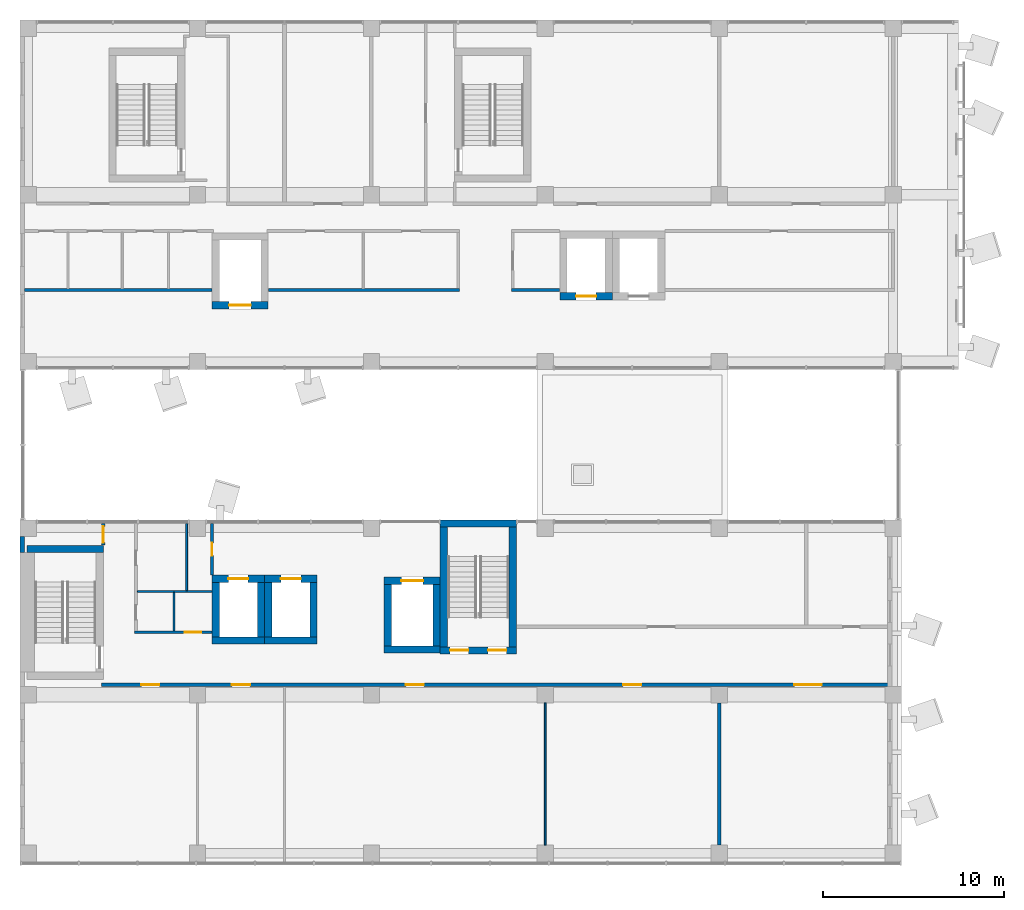
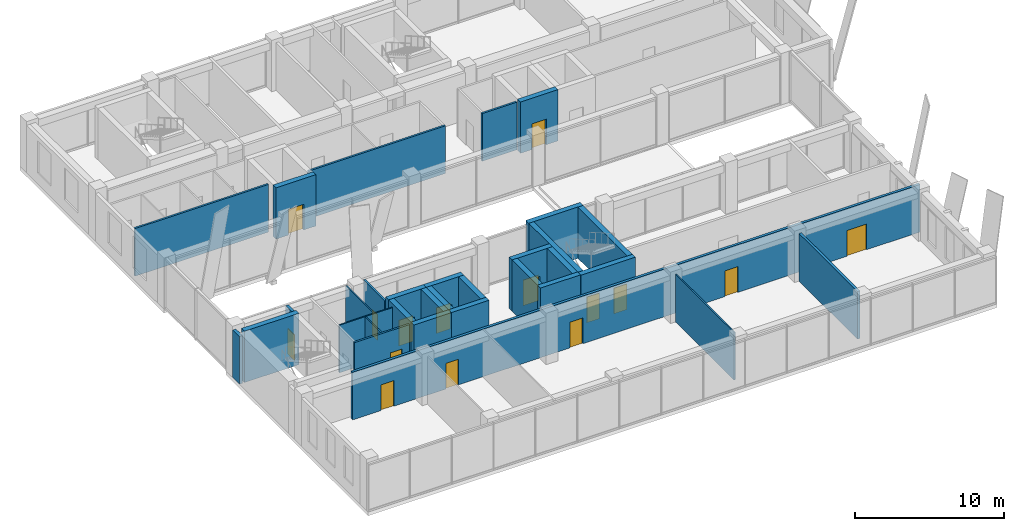
# One storey, part 28 of 38: 32 walls, 15 doors, 15 openings.
"""IFC4 building model written with IfcOpenShell, lengths in metres."""

from ifc_helpers import new_model, si_unit, direction, frame, frame_2d, origin, place, context, subcontext, project, spatial, rectangle, extrude, material, layer, layer_set, layer_usage, type_object, element, fill, save


model = new_model("IFC4")

# Units and contexts
model_context = context("Model", 3, precision=1e-05, world=origin(), true_north=direction((0.0, 1.0)))
body_context = subcontext(model_context, "Body", "Model", "MODEL_VIEW")
ifc_project = project(units=[si_unit("LENGTHUNIT", "METRE"), si_unit("AREAUNIT", "SQUARE_METRE"), si_unit("VOLUMEUNIT", "CUBIC_METRE"), si_unit("PLANEANGLEUNIT", "RADIAN"), si_unit("MASSUNIT", "GRAM", prefix="KILO")], contexts=[model_context])

# Site, building, storey
site_placement = place(None, origin())
site = spatial("IfcSite", under=ifc_project, at=site_placement, CompositionType="ELEMENT")
building_placement = place(site_placement, origin())
building = spatial("IfcBuilding", under=site, at=building_placement, Name="Nzadi Deep Aquarium and Research Tower", CompositionType="ELEMENT")
storey_placement = place(building_placement, frame((0.0, 0.0, 52.89990234375)))
storey = spatial("IfcBuildingStorey", under=building, at=storey_placement, Name="L10", CompositionType="ELEMENT", Elevation=52.89990234375)

# Walls
ifc_material_1 = material(Name="Graphite aluminium shingle", Category="aluminium")
ifc_layer_1 = layer(ifc_material_1, 0.050048828125, Category="cladding")
ifc_material_2 = material(Name="Concrete C35/45", Category="concrete")
ifc_layer_2 = layer(ifc_material_2, 0.10009765625, Category="cladding")
ifc_material_3 = material(Name="Mineral wool insulation")
ifc_layer_3 = layer(ifc_material_3, 0.070068359375, Category="insulation")
ifc_material_4 = material(Name="Gypsum board lining")
ifc_layer_4 = layer(ifc_material_4, 0.030029296875, Category="lining")
ifc_layer_set_1 = layer_set([ifc_layer_1, ifc_layer_2, ifc_layer_3, ifc_layer_4], Name="Graphite aluminium shingle, Concrete C35/45, Mineral wool insulation, Gypsum board lining")
ifc_layer_usage = layer_usage(ifc_layer_set_1, "AXIS2", "POSITIVE", -0.125)
wall_type_1 = type_object("IfcWallType", Name="End wall shingle over board-formed concrete 250", PredefinedType="ELEMENTEDWALL", material=ifc_layer_set_1)
wall_1_placement = place(storey_placement, frame((-0.074462890625, 17.949951171875, 0.0), z_axis=(0.0, 0.0, 1.0), x_axis=(0.0, -1.0, 0.0)))
element("IfcWall", 1, at=wall_1_placement, inside=storey, type_object=wall_type_1, material=ifc_layer_usage, Name="End wall blade A west L10", PredefinedType="ELEMENTEDWALL", context=body_context, shape_type="SweptSolid", body=[
    extrude(rectangle(XDim=0.89990234375, YDim=0.25, at=frame_2d((0.449951171875, 0.0))), origin(), (0.0, 0.0, 1.0), 3.900146484375),
])
ifc_material_5 = material(Name="Blockwork masonry", Category="masonry")
ifc_layer_5 = layer(ifc_material_5, 0.10009765625)
ifc_layer_set_2 = layer_set([ifc_layer_5], Name="Blockwork masonry")
wall_type_2 = type_object("IfcWallType", Name="Partition 100 EI 30", PredefinedType="PARTITIONING", material=ifc_layer_set_2)
wall_2_placement = place(storey_placement, frame((6.27490234375, 14.89990234375, 0.0), z_axis=(0.0, 0.0, 1.0), x_axis=(1.0, 0.0, 0.0)))
element("IfcWall", 2, at=wall_2_placement, inside=storey, type_object=wall_type_2, Name="W-Z1-L10-P010", PredefinedType="PARTITIONING", context=body_context, shape_type="SweptSolid", body=[
    extrude(rectangle(XDim=4.119140625, YDim=0.10009765625, at=frame_2d((2.0595703125, 0.0))), origin(), (0.0, 0.0, 1.0), 3.900146484375),
])
wall_3_placement = place(storey_placement, frame((8.300048828125, 12.72509765625, 0.0), z_axis=(0.0, 0.0, 1.0), x_axis=(0.0, 1.0, 0.0)))
element("IfcWall", 3, at=wall_3_placement, inside=storey, type_object=wall_type_2, Name="W-Z1-L10-P012", PredefinedType="PARTITIONING", context=body_context, shape_type="SweptSolid", body=[
    extrude(rectangle(XDim=2.125, YDim=0.10009765625, at=frame_2d((1.0625, 0.0))), origin(), (0.0, 0.0, 1.0), 3.900146484375),
])
wall_4_placement = place(storey_placement, frame((9.0, 14.949951171875, 0.0), z_axis=(0.0, 0.0, 1.0), x_axis=(0.0, 1.0, 0.0)))
element("IfcWall", 4, at=wall_4_placement, inside=storey, type_object=wall_type_2, Name="W-Z1-L10-P016", PredefinedType="PARTITIONING", context=body_context, shape_type="SweptSolid", body=[
    extrude(rectangle(XDim=3.694091796875, YDim=0.10009765625, at=frame_2d((1.84716796875, 0.0))), origin(), (0.0, 0.0, 1.0), 3.900146484375),
])
wall_5_placement = place(storey_placement, frame((28.800048828125, 0.89990234375, 0.0), z_axis=(0.0, 0.0, 1.0), x_axis=(0.0, 1.0, 0.0)))
element("IfcWall", 5, at=wall_5_placement, inside=storey, type_object=wall_type_2, Name="W-Z1-L10-P038", PredefinedType="PARTITIONING", context=body_context, shape_type="SweptSolid", body=[
    extrude(rectangle(XDim=7.85009765625, YDim=0.10009765625, at=frame_2d((3.925048828125, 0.0))), origin(), (0.0, 0.0, 1.0), 3.900146484375),
])
ifc_material_6 = material(Name="Blockwork masonry", Category="masonry")
ifc_layer_6 = layer(ifc_material_6, 0.14990234375)
ifc_layer_set_3 = layer_set([ifc_layer_6], Name="Blockwork masonry")
wall_type_3 = type_object("IfcWallType", Name="Partition 150 EI 60", PredefinedType="PARTITIONING", material=ifc_layer_set_3)
wall_6_placement = place(storey_placement, frame((0.055908203125, 31.550048828125, 0.0), z_axis=(0.0, 0.0, 1.0), x_axis=(1.0, 0.0, 0.0)))
element("IfcWall", 6, at=wall_6_placement, inside=storey, type_object=wall_type_3, Name="W-Z1-L10-P001", PredefinedType="PARTITIONING", context=body_context, shape_type="SweptSolid", body=[
    extrude(rectangle(XDim=10.338134765625, YDim=0.14990234375, at=frame_2d((5.1689453125, 0.0))), origin(), (0.0, 0.0, 1.0), 3.900146484375),
])

# Wall, opening, door
wall_7_placement = place(storey_placement, frame((6.125, 12.64990234375, 0.0), z_axis=(0.0, 0.0, 1.0), x_axis=(1.0, 0.0, 0.0)))
wall_7 = element("IfcWall", 7, at=wall_7_placement, inside=storey, type_object=wall_type_3, Name="W-Z1-L10-P008", PredefinedType="PARTITIONING", context=body_context, shape_type="SweptSolid", body=[
    extrude(rectangle(XDim=4.26904296875, YDim=0.14990234375, at=frame_2d((2.134521484375, 0.0))), origin(), (0.0, 0.0, 1.0), 3.900146484375),
])
opening_1_placement = place(wall_7_placement, frame((2.77490234375, 0.0, 0.0)))
opening_1 = element("IfcOpeningElement", 8, at=opening_1_placement, cuts=wall_7, Name="Opening D111003", PredefinedType="OPENING", context=body_context, shape_type="SweptSolid", body=[
    extrude(rectangle(XDim=0.89990234375, YDim=2.10009765625, at=frame_2d((0.449951171875, 1.050048828125))), frame((0.0, 0.0849609375, 0.0), z_axis=(0.0, -1.0, 0.0), x_axis=(1.0, 0.0, 0.0)), (0.0, 0.0, 1.0), 0.169921875),
])
ifc_material_7 = material(Name="Fire-rated steel door", Category="steel")
ifc_layer_7 = layer(ifc_material_7, 0.050048828125)
ifc_layer_set_4 = layer_set([ifc_layer_7], Name="Fire-rated steel door")
door_type_1 = type_object("IfcDoorType", Name="Door 900x2100 EI 60 single", OperationType="SINGLE_SWING_LEFT", PredefinedType="DOOR", material=ifc_layer_set_4)
door_1_placement = place(opening_1_placement, origin())
door_1 = element("IfcDoor", 9, at=door_1_placement, inside=storey, type_object=door_type_1, Name="D111003", OperationType="SINGLE_SWING_RIGHT", OverallHeight=2.10009765625, OverallWidth=0.89990234375, PredefinedType="DOOR", context=body_context, shape_type="SweptSolid", body=[
    extrude(rectangle(XDim=0.89990234375, YDim=2.10009765625, at=frame_2d((0.449951171875, 1.050048828125))), frame((0.0, 0.02490234375, 0.0), z_axis=(0.0, -1.0, 0.0), x_axis=(1.0, 0.0, 0.0)), (0.0, 0.0, 1.0), 0.050048828125),
])
fill(opening_1, door_1)

wall_8_placement = place(storey_placement, frame((10.39990234375, 15.805908203125, 0.0), z_axis=(0.0, 0.0, 1.0), x_axis=(0.0, 1.0, 0.0)))
wall_8 = element("IfcWall", 10, at=wall_8_placement, inside=storey, type_object=wall_type_3, Name="W-Z1-L10-P019", PredefinedType="PARTITIONING", context=body_context, shape_type="SweptSolid", body=[
    extrude(rectangle(XDim=2.838134765625, YDim=0.14990234375, at=frame_2d((1.4189453125, 0.0))), origin(), (0.0, 0.0, 1.0), 3.900146484375),
])
opening_2_placement = place(wall_8_placement, frame((1.073974609375, 0.0, 0.0)))
opening_2 = element("IfcOpeningElement", 11, at=opening_2_placement, cuts=wall_8, Name="Opening D111005", PredefinedType="OPENING", context=body_context, shape_type="SweptSolid", body=[
    extrude(rectangle(XDim=0.699951171875, YDim=2.10009765625, at=frame_2d((0.35009765625, 1.050048828125))), frame((0.0, 0.0849609375, 0.0), z_axis=(0.0, -1.0, 0.0), x_axis=(1.0, 0.0, 0.0)), (0.0, 0.0, 1.0), 0.169921875),
])
ifc_material_8 = material(Name="Fire-rated steel door", Category="steel")
ifc_layer_8 = layer(ifc_material_8, 0.050048828125)
ifc_layer_set_5 = layer_set([ifc_layer_8], Name="Fire-rated steel door")
door_type_2 = type_object("IfcDoorType", Name="Door 700x2100 EI 60 single", OperationType="SINGLE_SWING_LEFT", PredefinedType="DOOR", material=ifc_layer_set_5)
door_2_placement = place(opening_2_placement, origin())
door_2 = element("IfcDoor", 12, at=door_2_placement, inside=storey, type_object=door_type_2, Name="D111005", OperationType="SINGLE_SWING_LEFT", OverallHeight=2.10009765625, OverallWidth=0.699951171875, PredefinedType="DOOR", context=body_context, shape_type="SweptSolid", body=[
    extrude(rectangle(XDim=0.699951171875, YDim=2.10009765625, at=frame_2d((0.35009765625, 1.050048828125))), frame((0.0, 0.02490234375, 0.0), z_axis=(0.0, -1.0, 0.0), x_axis=(1.0, 0.0, 0.0)), (0.0, 0.0, 1.0), 0.050048828125),
])
fill(opening_2, door_2)

# Walls
wall_9_placement = place(storey_placement, frame((13.506103515625, 31.550048828125, 0.0), z_axis=(0.0, 0.0, 1.0), x_axis=(1.0, 0.0, 0.0)))
element("IfcWall", 13, at=wall_9_placement, inside=storey, type_object=wall_type_3, Name="W-Z1-L10-P023", PredefinedType="PARTITIONING", context=body_context, shape_type="SweptSolid", body=[
    extrude(rectangle(XDim=10.56884765625, YDim=0.14990234375, at=frame_2d((5.284423828125, 0.0))), origin(), (0.0, 0.0, 1.0), 3.900146484375),
])
wall_10_placement = place(storey_placement, frame((26.925048828125, 31.550048828125, 0.0), z_axis=(0.0, 0.0, 1.0), x_axis=(1.0, 0.0, 0.0)))
element("IfcWall", 14, at=wall_10_placement, inside=storey, type_object=wall_type_3, Name="W-Z1-L10-P034", PredefinedType="PARTITIONING", context=body_context, shape_type="SweptSolid", body=[
    extrude(rectangle(XDim=2.6689453125, YDim=0.14990234375, at=frame_2d((1.33447265625, 0.0))), origin(), (0.0, 0.0, 1.0), 3.900146484375),
])

# Wall, openings, doors
ifc_material_9 = material(Name="Blockwork masonry", Category="masonry")
ifc_layer_9 = layer(ifc_material_9, 0.199951171875)
ifc_layer_set_6 = layer_set([ifc_layer_9], Name="Blockwork masonry")
wall_type_4 = type_object("IfcWallType", Name="Partition 200 EI 120", PredefinedType="PARTITIONING", material=ifc_layer_set_6)
wall_11_placement = place(storey_placement, frame((4.300048828125, 9.75, 0.0), z_axis=(0.0, 0.0, 1.0), x_axis=(1.0, 0.0, 0.0)))
wall_11 = element("IfcWall", 15, at=wall_11_placement, inside=storey, type_object=wall_type_4, Name="W-Z1-L10-P005", PredefinedType="PARTITIONING", context=body_context, shape_type="SweptSolid", body=[
    extrude(rectangle(XDim=43.89404296875, YDim=0.199951171875, at=frame_2d((21.947021484375, 0.0))), origin(), (0.0, 0.0, 1.0), 3.900146484375),
])
opening_3_placement = place(wall_11_placement, frame((2.199951171875, 0.0, 0.0)))
opening_3 = element("IfcOpeningElement", 16, at=opening_3_placement, cuts=wall_11, Name="Opening D111006", PredefinedType="OPENING", context=body_context, shape_type="SweptSolid", body=[
    extrude(rectangle(XDim=1.0, YDim=2.10009765625, at=frame_2d((0.5, 1.050048828125))), frame((0.0, 0.110107421875, 0.0), z_axis=(0.0, -1.0, 0.0), x_axis=(1.0, 0.0, 0.0)), (0.0, 0.0, 1.0), 0.22021484375),
])
opening_4_placement = place(wall_11_placement, frame((7.199951171875, 0.0, 0.0)))
opening_4 = element("IfcOpeningElement", 17, at=opening_4_placement, cuts=wall_11, Name="Opening D111007", PredefinedType="OPENING", context=body_context, shape_type="SweptSolid", body=[
    extrude(rectangle(XDim=1.0, YDim=2.10009765625, at=frame_2d((0.5, 1.050048828125))), frame((0.0, 0.110107421875, 0.0), z_axis=(0.0, -1.0, 0.0), x_axis=(1.0, 0.0, 0.0)), (0.0, 0.0, 1.0), 0.22021484375),
])
opening_5_placement = place(wall_11_placement, frame((16.800048828125, 0.0, 0.0)))
opening_5 = element("IfcOpeningElement", 18, at=opening_5_placement, cuts=wall_11, Name="Opening D111008", PredefinedType="OPENING", context=body_context, shape_type="SweptSolid", body=[
    extrude(rectangle(XDim=1.0, YDim=2.10009765625, at=frame_2d((0.5, 1.050048828125))), frame((0.0, 0.110107421875, 0.0), z_axis=(0.0, -1.0, 0.0), x_axis=(1.0, 0.0, 0.0)), (0.0, 0.0, 1.0), 0.22021484375),
])
opening_6_placement = place(wall_11_placement, frame((28.800048828125, 0.0, 0.0)))
opening_6 = element("IfcOpeningElement", 19, at=opening_6_placement, cuts=wall_11, Name="Opening D111009", PredefinedType="OPENING", context=body_context, shape_type="SweptSolid", body=[
    extrude(rectangle(XDim=1.0, YDim=2.10009765625, at=frame_2d((0.5, 1.050048828125))), frame((0.0, 0.110107421875, 0.0), z_axis=(0.0, -1.0, 0.0), x_axis=(1.0, 0.0, 0.0)), (0.0, 0.0, 1.0), 0.22021484375),
])
opening_7_placement = place(wall_11_placement, frame((38.25, 0.0, 0.0)))
opening_7 = element("IfcOpeningElement", 20, at=opening_7_placement, cuts=wall_11, Name="Opening D111010", PredefinedType="OPENING", context=body_context, shape_type="SweptSolid", body=[
    extrude(rectangle(XDim=1.5, YDim=2.10009765625, at=frame_2d((0.75, 1.050048828125))), frame((0.0, 0.110107421875, 0.0), z_axis=(0.0, -1.0, 0.0), x_axis=(1.0, 0.0, 0.0)), (0.0, 0.0, 1.0), 0.22021484375),
])
ifc_material_10 = material(Name="Fire-rated steel door", Category="steel")
ifc_layer_10 = layer(ifc_material_10, 0.050048828125)
ifc_layer_set_7 = layer_set([ifc_layer_10], Name="Fire-rated steel door")
door_type_3 = type_object("IfcDoorType", Name="Door 1000x2100 EI 120 single", OperationType="SINGLE_SWING_LEFT", PredefinedType="DOOR", material=ifc_layer_set_7)
door_3_placement = place(opening_3_placement, origin())
door_3 = element("IfcDoor", 21, at=door_3_placement, inside=storey, type_object=door_type_3, Name="D111006", OperationType="SINGLE_SWING_RIGHT", OverallHeight=2.10009765625, OverallWidth=1.0, PredefinedType="DOOR", context=body_context, shape_type="SweptSolid", body=[
    extrude(rectangle(XDim=1.0, YDim=2.10009765625, at=frame_2d((0.5, 1.050048828125))), frame((0.0, 0.02490234375, 0.0), z_axis=(0.0, -1.0, 0.0), x_axis=(1.0, 0.0, 0.0)), (0.0, 0.0, 1.0), 0.050048828125),
])
fill(opening_3, door_3)
door_4_placement = place(opening_4_placement, origin())
door_4 = element("IfcDoor", 22, at=door_4_placement, inside=storey, type_object=door_type_3, Name="D111007", OperationType="SINGLE_SWING_LEFT", OverallHeight=2.10009765625, OverallWidth=1.0, PredefinedType="DOOR", context=body_context, shape_type="SweptSolid", body=[
    extrude(rectangle(XDim=1.0, YDim=2.10009765625, at=frame_2d((0.5, 1.050048828125))), frame((0.0, 0.02490234375, 0.0), z_axis=(0.0, -1.0, 0.0), x_axis=(1.0, 0.0, 0.0)), (0.0, 0.0, 1.0), 0.050048828125),
])
fill(opening_4, door_4)
door_5_placement = place(opening_5_placement, origin())
door_5 = element("IfcDoor", 23, at=door_5_placement, inside=storey, type_object=door_type_3, Name="D111008", OperationType="SINGLE_SWING_RIGHT", OverallHeight=2.10009765625, OverallWidth=1.0, PredefinedType="DOOR", context=body_context, shape_type="SweptSolid", body=[
    extrude(rectangle(XDim=1.0, YDim=2.10009765625, at=frame_2d((0.5, 1.050048828125))), frame((0.0, 0.02490234375, 0.0), z_axis=(0.0, -1.0, 0.0), x_axis=(1.0, 0.0, 0.0)), (0.0, 0.0, 1.0), 0.050048828125),
])
fill(opening_5, door_5)
door_6_placement = place(opening_6_placement, origin())
door_6 = element("IfcDoor", 24, at=door_6_placement, inside=storey, type_object=door_type_3, Name="D111009", OperationType="SINGLE_SWING_RIGHT", OverallHeight=2.10009765625, OverallWidth=1.0, PredefinedType="DOOR", context=body_context, shape_type="SweptSolid", body=[
    extrude(rectangle(XDim=1.0, YDim=2.10009765625, at=frame_2d((0.5, 1.050048828125))), frame((0.0, 0.02490234375, 0.0), z_axis=(0.0, -1.0, 0.0), x_axis=(1.0, 0.0, 0.0)), (0.0, 0.0, 1.0), 0.050048828125),
])
fill(opening_6, door_6)
ifc_material_11 = material(Name="Fire-rated steel door", Category="steel")
ifc_layer_11 = layer(ifc_material_11, 0.050048828125)
ifc_layer_set_8 = layer_set([ifc_layer_11], Name="Fire-rated steel door")
door_type_4 = type_object("IfcDoorType", Name="Door 1500x2100 EI 120 double", OperationType="DOUBLE_DOOR_SINGLE_SWING", PredefinedType="DOOR", material=ifc_layer_set_8)
door_7_placement = place(opening_7_placement, origin())
door_7 = element("IfcDoor", 25, at=door_7_placement, inside=storey, type_object=door_type_4, Name="D111010", OperationType="DOUBLE_DOOR_SINGLE_SWING", OverallHeight=2.10009765625, OverallWidth=1.5, PredefinedType="DOOR", context=body_context, shape_type="SweptSolid", body=[
    extrude(rectangle(XDim=1.5, YDim=2.10009765625, at=frame_2d((0.75, 1.050048828125))), frame((0.0, 0.02490234375, 0.0), z_axis=(0.0, -1.0, 0.0), x_axis=(1.0, 0.0, 0.0)), (0.0, 0.0, 1.0), 0.050048828125),
])
fill(opening_7, door_7)

# Wall, opening, door
wall_12_placement = place(storey_placement, frame((4.39990234375, 17.4560546875, 0.0), z_axis=(0.0, 0.0, 1.0), x_axis=(0.0, 1.0, 0.0)))
wall_12 = element("IfcWall", 26, at=wall_12_placement, inside=storey, type_object=wall_type_4, Name="W-Z1-L10-P006", PredefinedType="PARTITIONING", context=body_context, shape_type="SweptSolid", body=[
    extrude(rectangle(XDim=1.18798828125, YDim=0.199951171875, at=frame_2d((0.593994140625, 0.0))), origin(), (0.0, 0.0, 1.0), 3.900146484375),
])
opening_8_placement = place(wall_12_placement, frame((0.14404296875, 0.0, 0.0)))
opening_8 = element("IfcOpeningElement", 27, at=opening_8_placement, cuts=wall_12, Name="Opening D111001", PredefinedType="OPENING", context=body_context, shape_type="SweptSolid", body=[
    extrude(rectangle(XDim=0.89990234375, YDim=2.10009765625, at=frame_2d((0.449951171875, 1.050048828125))), frame((0.0, 0.110107421875, 0.0), z_axis=(0.0, -1.0, 0.0), x_axis=(1.0, 0.0, 0.0)), (0.0, 0.0, 1.0), 0.22021484375),
])
ifc_material_12 = material(Name="Fire-rated steel door", Category="steel")
ifc_layer_12 = layer(ifc_material_12, 0.050048828125)
ifc_layer_set_9 = layer_set([ifc_layer_12], Name="Fire-rated steel door")
door_type_5 = type_object("IfcDoorType", Name="Door 900x2100 EI 120 single", OperationType="SINGLE_SWING_LEFT", PredefinedType="DOOR", material=ifc_layer_set_9)
door_8_placement = place(opening_8_placement, origin())
door_8 = element("IfcDoor", 28, at=door_8_placement, inside=storey, type_object=door_type_5, Name="D111001", OperationType="SINGLE_SWING_LEFT", OverallHeight=2.10009765625, OverallWidth=0.89990234375, PredefinedType="DOOR", context=body_context, shape_type="SweptSolid", body=[
    extrude(rectangle(XDim=0.89990234375, YDim=2.10009765625, at=frame_2d((0.449951171875, 1.050048828125))), frame((0.0, 0.02490234375, 0.0), z_axis=(0.0, -1.0, 0.0), x_axis=(1.0, 0.0, 0.0)), (0.0, 0.0, 1.0), 0.050048828125),
])
fill(opening_8, door_8)

# Walls
wall_13_placement = place(storey_placement, frame((38.39990234375, 0.89990234375, 0.0), z_axis=(0.0, 0.0, 1.0), x_axis=(0.0, 1.0, 0.0)))
element("IfcWall", 29, at=wall_13_placement, inside=storey, type_object=wall_type_4, Name="W-Z1-L10-P042", PredefinedType="PARTITIONING", context=body_context, shape_type="SweptSolid", body=[
    extrude(rectangle(XDim=7.85009765625, YDim=0.199951171875, at=frame_2d((3.925048828125, 0.0))), origin(), (0.0, 0.0, 1.0), 3.900146484375),
])
ifc_material_13 = material(Name="Concrete C35/45", Category="concrete")
ifc_layer_13 = layer(ifc_material_13, 0.39990234375)
ifc_layer_set_10 = layer_set([ifc_layer_13], Name="Concrete C35/45")
wall_type_5 = type_object("IfcWallType", Name="RC core wall 400", PredefinedType="SHEAR", material=ifc_layer_set_10)
wall_14_placement = place(storey_placement, frame((0.199951171875, 17.25, 0.0), z_axis=(0.0, 0.0, 1.0), x_axis=(1.0, 0.0, 0.0)))
element("IfcWall", 30, at=wall_14_placement, inside=storey, type_object=wall_type_5, Name="W-CORE-ST-Z1-SW-L10-N", PredefinedType="SHEAR", context=body_context, shape_type="SweptSolid", body=[
    extrude(rectangle(XDim=4.199951171875, YDim=0.39990234375, at=frame_2d((2.10009765625, 0.0))), origin(), (0.0, 0.0, 1.0), 4.2001953125),
])

# Wall, openings, doors
wall_15_placement = place(storey_placement, frame((23.0, 11.64990234375, 0.0), z_axis=(0.0, 0.0, 1.0), x_axis=(1.0, 0.0, 0.0)))
wall_15 = element("IfcWall", 31, at=wall_15_placement, inside=storey, type_object=wall_type_5, Name="W-CORE-ST-Z1-SE-L10-S", PredefinedType="SHEAR", context=body_context, shape_type="SweptSolid", body=[
    extrude(rectangle(XDim=4.199951171875, YDim=0.39990234375, at=frame_2d((2.10009765625, 0.0))), origin(), (0.0, 0.0, 1.0), 4.2001953125),
])
opening_9_placement = place(wall_15_placement, frame((0.550048828125, 0.0, 0.0)))
opening_9 = element("IfcOpeningElement", 32, at=opening_9_placement, cuts=wall_15, Name="Opening DS-Z1-SE-L10A", PredefinedType="OPENING", context=body_context, shape_type="SweptSolid", body=[
    extrude(rectangle(XDim=1.0, YDim=2.10009765625, at=frame_2d((0.5, 1.050048828125))), frame((0.0, 0.2099609375, 0.0), z_axis=(0.0, -1.0, 0.0), x_axis=(1.0, 0.0, 0.0)), (0.0, 0.0, 1.0), 0.419921875),
])
opening_10_placement = place(wall_15_placement, frame((2.64990234375, 0.0, 0.0)))
opening_10 = element("IfcOpeningElement", 33, at=opening_10_placement, cuts=wall_15, Name="Opening DS-Z1-SE-L10B", PredefinedType="OPENING", context=body_context, shape_type="SweptSolid", body=[
    extrude(rectangle(XDim=1.0, YDim=2.10009765625, at=frame_2d((0.5, 1.050048828125))), frame((0.0, 0.2099609375, 0.0), z_axis=(0.0, -1.0, 0.0), x_axis=(1.0, 0.0, 0.0)), (0.0, 0.0, 1.0), 0.419921875),
])
ifc_material_14 = material(Name="Steel, powder coated", Category="steel")
door_type_6 = type_object("IfcDoorType", Name="STAIR DOOR 1000x2100 EI 60", OperationType="SINGLE_SWING_LEFT", PredefinedType="DOOR", material=ifc_material_14)
door_9_placement = place(opening_9_placement, origin())
door_9 = element("IfcDoor", 34, at=door_9_placement, inside=storey, type_object=door_type_6, Name="Stair door ST-Z1-SE L10 A", OperationType="SINGLE_SWING_RIGHT", OverallHeight=2.10009765625, OverallWidth=1.0, PredefinedType="DOOR", context=body_context, shape_type="SweptSolid", body=[
    extrude(rectangle(XDim=1.0, YDim=2.10009765625, at=frame_2d((0.5, 1.050048828125))), frame((0.0, 0.02490234375, 0.0), z_axis=(0.0, -1.0, 0.0), x_axis=(1.0, 0.0, 0.0)), (0.0, 0.0, 1.0), 0.050048828125),
])
fill(opening_9, door_9)
door_10_placement = place(opening_10_placement, origin())
door_10 = element("IfcDoor", 35, at=door_10_placement, inside=storey, type_object=door_type_6, Name="Stair door ST-Z1-SE L10 B", OperationType="SINGLE_SWING_LEFT", OverallHeight=2.10009765625, OverallWidth=1.0, PredefinedType="DOOR", context=body_context, shape_type="SweptSolid", body=[
    extrude(rectangle(XDim=1.0, YDim=2.10009765625, at=frame_2d((0.5, 1.050048828125))), frame((0.0, 0.02490234375, 0.0), z_axis=(0.0, -1.0, 0.0), x_axis=(1.0, 0.0, 0.0)), (0.0, 0.0, 1.0), 0.050048828125),
])
fill(opening_10, door_10)

# Walls
wall_16_placement = place(storey_placement, frame((23.0, 18.64990234375, 0.0), z_axis=(0.0, 0.0, 1.0), x_axis=(1.0, 0.0, 0.0)))
element("IfcWall", 36, at=wall_16_placement, inside=storey, type_object=wall_type_5, Name="W-CORE-ST-Z1-SE-L10-N", PredefinedType="SHEAR", context=body_context, shape_type="SweptSolid", body=[
    extrude(rectangle(XDim=4.199951171875, YDim=0.39990234375, at=frame_2d((2.10009765625, 0.0))), origin(), (0.0, 0.0, 1.0), 4.2001953125),
])
for number, where, z_axis, x_axis, name in (
    (37, (23.199951171875, 11.85009765625, 0.0), (0.0, 0.0, 1.0), (0.0, 1.0, 0.0), "W-CORE-ST-Z1-SE-L10-W"),
    (38, (27.0, 11.85009765625, 0.0), (0.0, 0.0, 1.0), (0.0, 1.0, 0.0), "W-CORE-ST-Z1-SE-L10-E"),
):
    element("IfcWall", number, at=place(storey_placement, frame(where, z_axis=z_axis, x_axis=x_axis)), inside=storey, type_object=wall_type_5, Name=name, PredefinedType="SHEAR", context=body_context, shape_type="SweptSolid", body=[
        extrude(rectangle(XDim=6.599853515625, YDim=0.39990234375, at=frame_2d((3.2998046875, 0.0))), origin(), (0.0, 0.0, 1.0), 4.2001953125),
    ])
wall_17_placement = place(storey_placement, frame((10.39990234375, 12.199951171875, 0.0), z_axis=(0.0, 0.0, 1.0), x_axis=(1.0, 0.0, 0.0)))
element("IfcWall", 39, at=wall_17_placement, inside=storey, type_object=wall_type_5, Name="W-CORE-TL1-L10-S", PredefinedType="SHEAR", context=body_context, shape_type="SweptSolid", body=[
    extrude(rectangle(XDim=2.900146484375, YDim=0.39990234375, at=frame_2d((1.4501953125, 0.0))), origin(), (0.0, 0.0, 1.0), 4.2001953125),
])

# Wall, opening, door
wall_18_placement = place(storey_placement, frame((10.39990234375, 15.60009765625, 0.0), z_axis=(0.0, 0.0, 1.0), x_axis=(1.0, 0.0, 0.0)))
wall_18 = element("IfcWall", 40, at=wall_18_placement, inside=storey, type_object=wall_type_5, Name="W-CORE-TL1-L10-N", PredefinedType="SHEAR", context=body_context, shape_type="SweptSolid", body=[
    extrude(rectangle(XDim=2.900146484375, YDim=0.39990234375, at=frame_2d((1.4501953125, 0.0))), origin(), (0.0, 0.0, 1.0), 4.2001953125),
])
opening_11_placement = place(wall_18_placement, frame((0.89990234375, 0.0, 0.0)))
opening_11 = element("IfcOpeningElement", 41, at=opening_11_placement, cuts=wall_18, Name="Opening LD-TL1-L10", PredefinedType="OPENING", context=body_context, shape_type="SweptSolid", body=[
    extrude(rectangle(XDim=1.10009765625, YDim=2.10009765625, at=frame_2d((0.550048828125, 1.050048828125))), frame((0.0, 0.2099609375, 0.0), z_axis=(0.0, -1.0, 0.0), x_axis=(1.0, 0.0, 0.0)), (0.0, 0.0, 1.0), 0.419921875),
])
ifc_material_15 = material(Name="Stainless steel 1.4301", Category="steel")
door_type_7 = type_object("IfcDoorType", Name="LANDING DOOR 1100x2100", OperationType="DOUBLE_DOOR_SLIDING", PredefinedType="DOOR", material=ifc_material_15)
door_11_placement = place(opening_11_placement, origin())
door_11 = element("IfcDoor", 42, at=door_11_placement, inside=storey, type_object=door_type_7, Name="Landing door TL1 L10", OperationType="DOUBLE_DOOR_SLIDING", OverallHeight=2.10009765625, OverallWidth=1.10009765625, PredefinedType="DOOR", context=body_context, shape_type="SweptSolid", body=[
    extrude(rectangle(XDim=1.10009765625, YDim=2.10009765625, at=frame_2d((0.550048828125, 1.050048828125))), frame((0.0, 0.02490234375, 0.0), z_axis=(0.0, -1.0, 0.0), x_axis=(1.0, 0.0, 0.0)), (0.0, 0.0, 1.0), 0.050048828125),
])
fill(opening_11, door_11)

# Walls
for number, where, z_axis, x_axis, name in (
    (43, (10.60009765625, 12.39990234375, 0.0), (0.0, 0.0, 1.0), (0.0, 1.0, 0.0), "W-CORE-TL1-L10-W"),
    (44, (13.10009765625, 12.39990234375, 0.0), (0.0, 0.0, 1.0), (0.0, 1.0, 0.0), "W-CORE-TL1-L10-E"),
):
    element("IfcWall", number, at=place(storey_placement, frame(where, z_axis=z_axis, x_axis=x_axis)), inside=storey, type_object=wall_type_5, Name=name, PredefinedType="SHEAR", context=body_context, shape_type="SweptSolid", body=[
        extrude(rectangle(XDim=3.0, YDim=0.39990234375, at=frame_2d((1.5, 0.0))), origin(), (0.0, 0.0, 1.0), 4.2001953125),
    ])
wall_19_placement = place(storey_placement, frame((13.300048828125, 12.199951171875, 0.0), z_axis=(0.0, 0.0, 1.0), x_axis=(1.0, 0.0, 0.0)))
element("IfcWall", 45, at=wall_19_placement, inside=storey, type_object=wall_type_5, Name="W-CORE-TL2-L10-S", PredefinedType="SHEAR", context=body_context, shape_type="SweptSolid", body=[
    extrude(rectangle(XDim=2.89990234375, YDim=0.39990234375, at=frame_2d((1.449951171875, 0.0))), origin(), (0.0, 0.0, 1.0), 4.2001953125),
])

# Wall, opening, door
wall_20_placement = place(storey_placement, frame((13.300048828125, 15.60009765625, 0.0), z_axis=(0.0, 0.0, 1.0), x_axis=(1.0, 0.0, 0.0)))
wall_20 = element("IfcWall", 46, at=wall_20_placement, inside=storey, type_object=wall_type_5, Name="W-CORE-TL2-L10-N", PredefinedType="SHEAR", context=body_context, shape_type="SweptSolid", body=[
    extrude(rectangle(XDim=2.89990234375, YDim=0.39990234375, at=frame_2d((1.449951171875, 0.0))), origin(), (0.0, 0.0, 1.0), 4.2001953125),
])
opening_12_placement = place(wall_20_placement, frame((0.89990234375, 0.0, 0.0)))
opening_12 = element("IfcOpeningElement", 47, at=opening_12_placement, cuts=wall_20, Name="Opening LD-TL2-L10", PredefinedType="OPENING", context=body_context, shape_type="SweptSolid", body=[
    extrude(rectangle(XDim=1.10009765625, YDim=2.10009765625, at=frame_2d((0.550048828125, 1.050048828125))), frame((0.0, 0.2099609375, 0.0), z_axis=(0.0, -1.0, 0.0), x_axis=(1.0, 0.0, 0.0)), (0.0, 0.0, 1.0), 0.419921875),
])
door_12_placement = place(opening_12_placement, origin())
door_12 = element("IfcDoor", 48, at=door_12_placement, inside=storey, type_object=door_type_7, Name="Landing door TL2 L10", OperationType="DOUBLE_DOOR_SLIDING", OverallHeight=2.10009765625, OverallWidth=1.10009765625, PredefinedType="DOOR", context=body_context, shape_type="SweptSolid", body=[
    extrude(rectangle(XDim=1.10009765625, YDim=2.10009765625, at=frame_2d((0.550048828125, 1.050048828125))), frame((0.0, 0.02490234375, 0.0), z_axis=(0.0, -1.0, 0.0), x_axis=(1.0, 0.0, 0.0)), (0.0, 0.0, 1.0), 0.050048828125),
])
fill(opening_12, door_12)

# Walls
for number, where, z_axis, x_axis, name in (
    (49, (13.5, 12.39990234375, 0.0), (0.0, 0.0, 1.0), (0.0, 1.0, 0.0), "W-CORE-TL2-L10-W"),
    (50, (16.0, 12.39990234375, 0.0), (0.0, 0.0, 1.0), (0.0, 1.0, 0.0), "W-CORE-TL2-L10-E"),
):
    element("IfcWall", number, at=place(storey_placement, frame(where, z_axis=z_axis, x_axis=x_axis)), inside=storey, type_object=wall_type_5, Name=name, PredefinedType="SHEAR", context=body_context, shape_type="SweptSolid", body=[
        extrude(rectangle(XDim=3.0, YDim=0.39990234375, at=frame_2d((1.5, 0.0))), origin(), (0.0, 0.0, 1.0), 4.2001953125),
    ])
wall_21_placement = place(storey_placement, frame((19.89990234375, 11.699951171875, 0.0), z_axis=(0.0, 0.0, 1.0), x_axis=(1.0, 0.0, 0.0)))
element("IfcWall", 51, at=wall_21_placement, inside=storey, type_object=wall_type_5, Name="W-CORE-FL1-L10-S", PredefinedType="SHEAR", context=body_context, shape_type="SweptSolid", body=[
    extrude(rectangle(XDim=3.10009765625, YDim=0.39990234375, at=frame_2d((1.550048828125, 0.0))), origin(), (0.0, 0.0, 1.0), 4.2001953125),
])

# Wall, opening, door
wall_22_placement = place(storey_placement, frame((19.89990234375, 15.5, 0.0), z_axis=(0.0, 0.0, 1.0), x_axis=(1.0, 0.0, 0.0)))
wall_22 = element("IfcWall", 52, at=wall_22_placement, inside=storey, type_object=wall_type_5, Name="W-CORE-FL1-L10-N", PredefinedType="SHEAR", context=body_context, shape_type="SweptSolid", body=[
    extrude(rectangle(XDim=3.10009765625, YDim=0.39990234375, at=frame_2d((1.550048828125, 0.0))), origin(), (0.0, 0.0, 1.0), 4.2001953125),
])
opening_13_placement = place(wall_22_placement, frame((0.949951171875, 0.0, 0.0)))
opening_13 = element("IfcOpeningElement", 53, at=opening_13_placement, cuts=wall_22, Name="Opening LD-FL1-L10", PredefinedType="OPENING", context=body_context, shape_type="SweptSolid", body=[
    extrude(rectangle(XDim=1.199951171875, YDim=2.10009765625, at=frame_2d((0.60009765625, 1.050048828125))), frame((0.0, 0.2099609375, 0.0), z_axis=(0.0, -1.0, 0.0), x_axis=(1.0, 0.0, 0.0)), (0.0, 0.0, 1.0), 0.419921875),
])
ifc_material_16 = material(Name="Stainless steel 1.4301", Category="steel")
door_type_8 = type_object("IfcDoorType", Name="LANDING DOOR 1200x2100", OperationType="DOUBLE_DOOR_SLIDING", PredefinedType="DOOR", material=ifc_material_16)
door_13_placement = place(opening_13_placement, origin())
door_13 = element("IfcDoor", 54, at=door_13_placement, inside=storey, type_object=door_type_8, Name="Landing door FL1 L10", OperationType="DOUBLE_DOOR_SLIDING", OverallHeight=2.10009765625, OverallWidth=1.199951171875, PredefinedType="DOOR", context=body_context, shape_type="SweptSolid", body=[
    extrude(rectangle(XDim=1.199951171875, YDim=2.10009765625, at=frame_2d((0.60009765625, 1.050048828125))), frame((0.0, 0.02490234375, 0.0), z_axis=(0.0, -1.0, 0.0), x_axis=(1.0, 0.0, 0.0)), (0.0, 0.0, 1.0), 0.050048828125),
])
fill(opening_13, door_13)

# Walls
for number, where, z_axis, x_axis, name in (
    (55, (20.10009765625, 11.89990234375, 0.0), (0.0, 0.0, 1.0), (0.0, 1.0, 0.0), "W-CORE-FL1-L10-W"),
    (56, (22.800048828125, 11.89990234375, 0.0), (0.0, 0.0, 1.0), (0.0, 1.0, 0.0), "W-CORE-FL1-L10-E"),
):
    element("IfcWall", number, at=place(storey_placement, frame(where, z_axis=z_axis, x_axis=x_axis)), inside=storey, type_object=wall_type_5, Name=name, PredefinedType="SHEAR", context=body_context, shape_type="SweptSolid", body=[
        extrude(rectangle(XDim=3.400146484375, YDim=0.39990234375, at=frame_2d((1.7001953125, 0.0))), origin(), (0.0, 0.0, 1.0), 4.2001953125),
    ])

# Wall, opening, door
wall_23_placement = place(storey_placement, frame((10.39990234375, 30.699951171875, 0.0), z_axis=(0.0, 0.0, 1.0), x_axis=(1.0, 0.0, 0.0)))
wall_23 = element("IfcWall", 57, at=wall_23_placement, inside=storey, type_object=wall_type_5, Name="W-CORE-FL2-L10-S", PredefinedType="SHEAR", context=body_context, shape_type="SweptSolid", body=[
    extrude(rectangle(XDim=3.10009765625, YDim=0.39990234375, at=frame_2d((1.550048828125, 0.0))), origin(), (0.0, 0.0, 1.0), 4.2001953125),
])
opening_14_placement = place(wall_23_placement, frame((0.949951171875, 0.0, 0.0)))
opening_14 = element("IfcOpeningElement", 58, at=opening_14_placement, cuts=wall_23, Name="Opening LD-FL2-L10", PredefinedType="OPENING", context=body_context, shape_type="SweptSolid", body=[
    extrude(rectangle(XDim=1.199951171875, YDim=2.10009765625, at=frame_2d((0.60009765625, 1.050048828125))), frame((0.0, 0.2099609375, 0.0), z_axis=(0.0, -1.0, 0.0), x_axis=(1.0, 0.0, 0.0)), (0.0, 0.0, 1.0), 0.419921875),
])
door_14_placement = place(opening_14_placement, origin())
door_14 = element("IfcDoor", 59, at=door_14_placement, inside=storey, type_object=door_type_8, Name="Landing door FL2 L10", OperationType="DOUBLE_DOOR_SLIDING", OverallHeight=2.10009765625, OverallWidth=1.199951171875, PredefinedType="DOOR", context=body_context, shape_type="SweptSolid", body=[
    extrude(rectangle(XDim=1.199951171875, YDim=2.10009765625, at=frame_2d((0.60009765625, 1.050048828125))), frame((0.0, 0.02490234375, 0.0), z_axis=(0.0, -1.0, 0.0), x_axis=(1.0, 0.0, 0.0)), (0.0, 0.0, 1.0), 0.050048828125),
])
fill(opening_14, door_14)

wall_24_placement = place(storey_placement, frame((29.60009765625, 31.199951171875, 0.0), z_axis=(0.0, 0.0, 1.0), x_axis=(1.0, 0.0, 0.0)))
wall_24 = element("IfcWall", 60, at=wall_24_placement, inside=storey, type_object=wall_type_5, Name="W-CORE-TL3-L10-S", PredefinedType="SHEAR", context=body_context, shape_type="SweptSolid", body=[
    extrude(rectangle(XDim=2.89990234375, YDim=0.39990234375, at=frame_2d((1.449951171875, 0.0))), origin(), (0.0, 0.0, 1.0), 4.2001953125),
])
opening_15_placement = place(wall_24_placement, frame((0.89990234375, 0.0, 0.0)))
opening_15 = element("IfcOpeningElement", 61, at=opening_15_placement, cuts=wall_24, Name="Opening LD-TL3-L10", PredefinedType="OPENING", context=body_context, shape_type="SweptSolid", body=[
    extrude(rectangle(XDim=1.10009765625, YDim=2.10009765625, at=frame_2d((0.550048828125, 1.050048828125))), frame((0.0, 0.2099609375, 0.0), z_axis=(0.0, -1.0, 0.0), x_axis=(1.0, 0.0, 0.0)), (0.0, 0.0, 1.0), 0.419921875),
])
door_15_placement = place(opening_15_placement, origin())
door_15 = element("IfcDoor", 62, at=door_15_placement, inside=storey, type_object=door_type_7, Name="Landing door TL3 L10", OperationType="DOUBLE_DOOR_SLIDING", OverallHeight=2.10009765625, OverallWidth=1.10009765625, PredefinedType="DOOR", context=body_context, shape_type="SweptSolid", body=[
    extrude(rectangle(XDim=1.10009765625, YDim=2.10009765625, at=frame_2d((0.550048828125, 1.050048828125))), frame((0.0, 0.02490234375, 0.0), z_axis=(0.0, -1.0, 0.0), x_axis=(1.0, 0.0, 0.0)), (0.0, 0.0, 1.0), 0.050048828125),
])
fill(opening_15, door_15)

save(model, "model.ifc")
